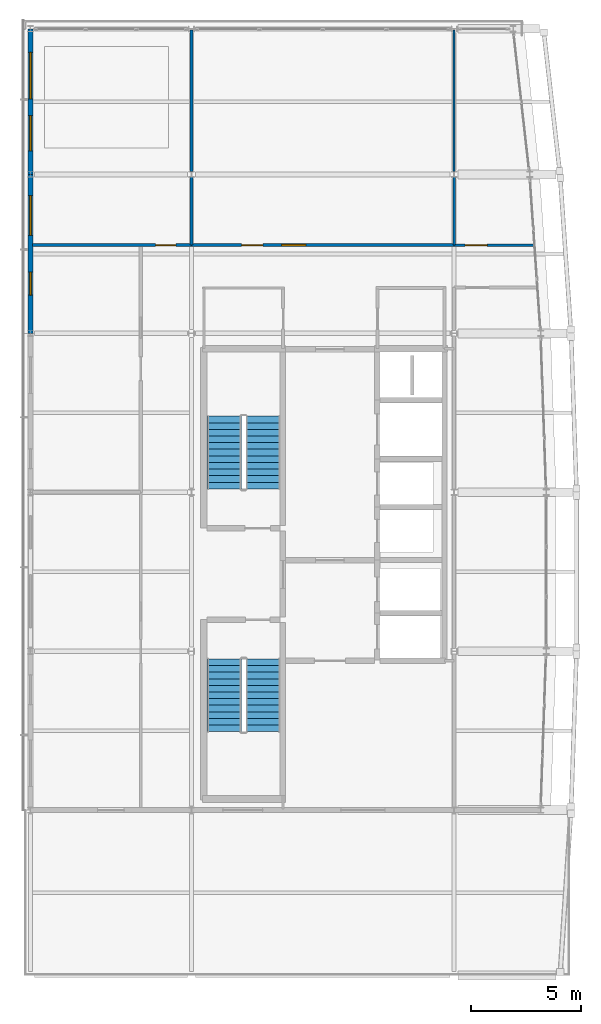
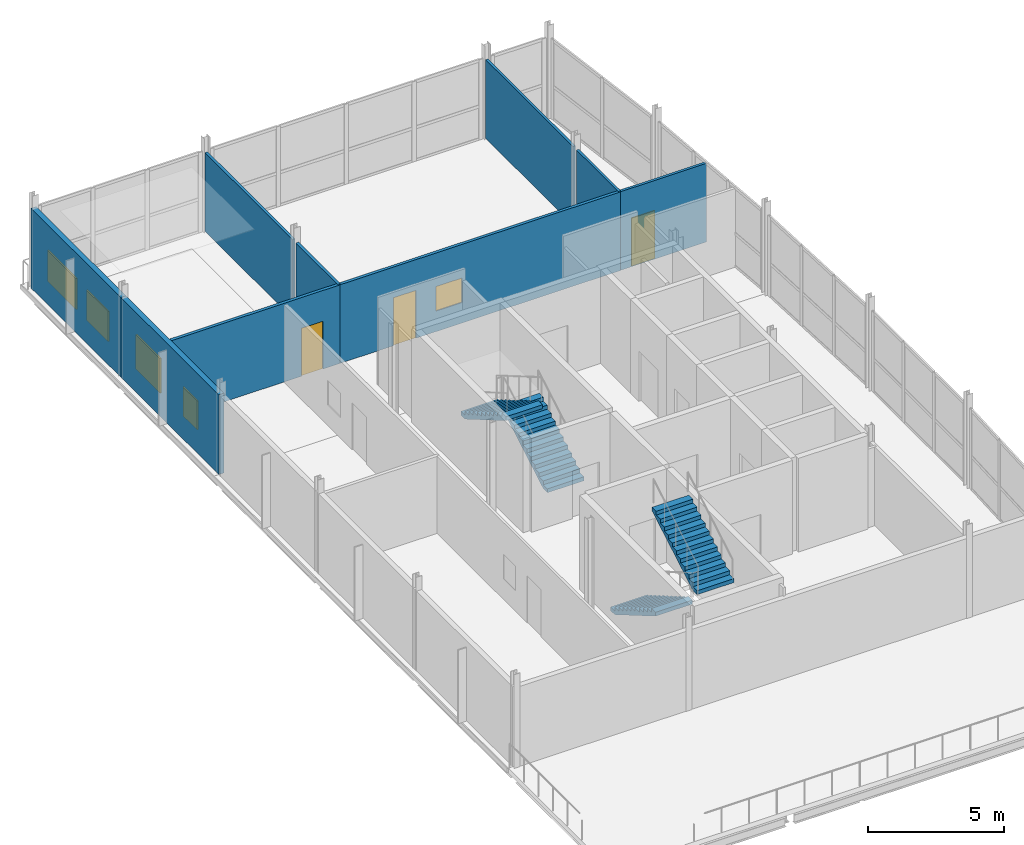
# One storey, part 15 of 17: 9 walls, 5 windows, 4 stair flights, 3 doors, 8 openings, 2 elements without a shape of their own.
"""IFC4 building model written with IfcOpenShell, lengths in metres."""

from ifc_helpers import new_model, si_unit, direction, frame, frame_2d, origin, place, context, subcontext, project, spatial, polyline, rectangle, outline, extrude, material, layer, layer_set, type_object, element, fill, aggregate, save


model = new_model("IFC4")

# Units and contexts
model_context = context("Model", 3, precision=1e-05, world=origin(), true_north=direction((0.0, 1.0)))
body_context = subcontext(model_context, "Body", "Model", "MODEL_VIEW")
ifc_project = project(units=[si_unit("LENGTHUNIT", "METRE"), si_unit("AREAUNIT", "SQUARE_METRE"), si_unit("VOLUMEUNIT", "CUBIC_METRE"), si_unit("PLANEANGLEUNIT", "RADIAN"), si_unit("MASSUNIT", "GRAM", prefix="KILO")], contexts=[model_context])

# Site, building, storey
site_placement = place(None, origin())
site = spatial("IfcSite", under=ifc_project, at=site_placement, CompositionType="ELEMENT")
building_placement = place(site_placement, origin())
building = spatial("IfcBuilding", under=site, at=building_placement, Name="Quillay Park Conservatory", CompositionType="ELEMENT")
storey_placement = place(building_placement, frame((0.0, 0.0, 60.300048828125)))
storey = spatial("IfcBuildingStorey", under=building, at=storey_placement, Name="L14", CompositionType="ELEMENT", Elevation=60.300048828125)

# Walls
ifc_material_1 = material(Name="Steel-Stud Acoustic Gypsum Board Partition", Category="steel")
ifc_layer_1 = layer(ifc_material_1, 0.10009765625)
ifc_layer_set_1 = layer_set([ifc_layer_1], Name="ACOUSTIC GYPSUM PARTITION 100 (Steel-Stud Acoustic Gypsum Board Partition)")
wall_type_1 = type_object("IfcWallType", Name="ACOUSTIC GYPSUM PARTITION 100", PredefinedType="PARTITIONING", material=ifc_layer_set_1)
wall_1_placement = place(storey_placement, frame((19.75, 113.35009765625, 0.0), z_axis=(0.0, 0.0, 1.0), x_axis=(0.0, -1.0, 0.0)))
element("IfcWall", 1, at=wall_1_placement, inside=storey, type_object=wall_type_1, Name="L14 North Divider 19 N", PredefinedType="PARTITIONING", context=body_context, shape_type="SweptSolid", body=[
    extrude(rectangle(XDim=6.425048828125, YDim=0.10009765625, at=frame_2d((3.21240234375, 0.0))), origin(), (0.0, 0.0, 1.0), 3.52685546875),
])
ifc_material_2 = material(Name="Steel-Stud Acoustic Gypsum Board Partition", Category="steel")
ifc_layer_2 = layer(ifc_material_2, 0.10498046875)
ifc_layer_set_2 = layer_set([ifc_layer_2], Name="ACOUSTIC GYPSUM PARTITION 105 (Steel-Stud Acoustic Gypsum Board Partition)")
wall_type_2 = type_object("IfcWallType", Name="ACOUSTIC GYPSUM PARTITION 105", PredefinedType="PARTITIONING", material=ifc_layer_set_2)
wall_2_placement = place(storey_placement, frame((19.75, 106.675048828125, 0.0), z_axis=(0.0, 0.0, 1.0), x_axis=(0.0, -1.0, 0.0)))
element("IfcWall", 2, at=wall_2_placement, inside=storey, type_object=wall_type_2, Name="L14 North Divider 19 S", PredefinedType="PARTITIONING", context=body_context, shape_type="SweptSolid", body=[
    extrude(rectangle(XDim=3.074951171875, YDim=0.10498046875, at=frame_2d((1.53759765625, 0.0))), origin(), (0.0, 0.0, 1.0), 3.52685546875),
])

# Wall, opening, door
ifc_material_3 = material(Name="Steel-Stud Acoustic Gypsum Board Partition", Category="steel")
ifc_layer_3 = layer(ifc_material_3, 0.110107421875)
ifc_layer_set_3 = layer_set([ifc_layer_3], Name="ACOUSTIC GYPSUM PARTITION 110 (Steel-Stud Acoustic Gypsum Board Partition)")
wall_type_3 = type_object("IfcWallType", Name="ACOUSTIC GYPSUM PARTITION 110", PredefinedType="PARTITIONING", material=ifc_layer_set_3)
wall_3_placement = place(storey_placement, frame((19.75, 103.60009765625, 0.0), z_axis=(0.0, 0.0, 1.0), x_axis=(1.0, 0.0, 0.0)))
wall_3 = element("IfcWall", 3, at=wall_3_placement, inside=storey, type_object=wall_type_3, Name="L14 Scientific Advisory Board Seminar Room South Wall", PredefinedType="PARTITIONING", context=body_context, shape_type="SweptSolid", body=[
    extrude(rectangle(XDim=3.6650390625, YDim=0.110107421875, at=frame_2d((1.83251953125, 0.0))), origin(), (0.0, 0.0, 1.0), 3.52685546875),
])
opening_1_placement = place(wall_3_placement, frame((0.5, 0.0, 0.0)))
opening_1 = element("IfcOpeningElement", 4, at=opening_1_placement, cuts=wall_3, Name="Opening D-RM09", PredefinedType="OPENING", context=body_context, shape_type="SweptSolid", body=[
    extrude(rectangle(XDim=1.0, YDim=2.14990234375, at=frame_2d((0.5, 1.074951171875))), frame((0.0, 0.05517578125, 0.0), z_axis=(0.0, -1.0, 0.0), x_axis=(1.0, 0.0, 0.0)), (0.0, 0.0, 1.0), 0.110107421875),
])
ifc_material_4 = material(Name="Thermally Broken Anodised Aluminium 6063-T6", Category="aluminium")
door_type_1 = type_object("IfcDoorType", Name="SINGLE SWING DOOR 1000 X2150", OperationType="NOTDEFINED", PredefinedType="DOOR", material=ifc_material_4)
door_1_placement = place(opening_1_placement, origin())
door_1 = element("IfcDoor", 5, at=door_1_placement, inside=storey, type_object=door_type_1, Name="L14 Door to Scientific Advisory Board Seminar Room", OperationType="SINGLE_SWING_LEFT", OverallHeight=2.14990234375, OverallWidth=1.0, PredefinedType="DOOR", context=body_context, shape_type="SweptSolid", body=[
    extrude(rectangle(XDim=1.0, YDim=2.14990234375, at=frame_2d((0.5, 1.074951171875))), frame((0.0, 0.02490234375, 0.0), z_axis=(0.0, -1.0, 0.0), x_axis=(1.0, 0.0, 0.0)), (0.0, 0.0, 1.0), 0.050048828125),
])
fill(opening_1, door_1)

# Walls
ifc_material_5 = material(Name="Steel-Stud Acoustic Gypsum Board Partition", Category="steel")
ifc_layer_4 = layer(ifc_material_5, 0.114990234375)
ifc_layer_set_4 = layer_set([ifc_layer_4], Name="ACOUSTIC GYPSUM PARTITION 115 (Steel-Stud Acoustic Gypsum Board Partition)")
wall_type_4 = type_object("IfcWallType", Name="ACOUSTIC GYPSUM PARTITION 115", PredefinedType="PARTITIONING", material=ifc_layer_set_4)
wall_4_placement = place(storey_placement, frame((7.85009765625, 113.35009765625, 0.0), z_axis=(0.0, 0.0, 1.0), x_axis=(0.0, -1.0, 0.0)))
element("IfcWall", 6, at=wall_4_placement, inside=storey, type_object=wall_type_4, Name="L14 North Divider 7 N", PredefinedType="PARTITIONING", context=body_context, shape_type="SweptSolid", body=[
    extrude(rectangle(XDim=6.425048828125, YDim=0.114990234375, at=frame_2d((3.21240234375, 0.0))), origin(), (0.0, 0.0, 1.0), 3.52685546875),
])
ifc_material_6 = material(Name="Steel-Stud Acoustic Gypsum Board Partition", Category="steel")
ifc_layer_5 = layer(ifc_material_6, 0.1201171875)
ifc_layer_set_5 = layer_set([ifc_layer_5], Name="ACOUSTIC GYPSUM PARTITION 120 (Steel-Stud Acoustic Gypsum Board Partition)")
wall_type_5 = type_object("IfcWallType", Name="ACOUSTIC GYPSUM PARTITION 120", PredefinedType="PARTITIONING", material=ifc_layer_set_5)
wall_5_placement = place(storey_placement, frame((7.85009765625, 106.675048828125, 0.0), z_axis=(0.0, 0.0, 1.0), x_axis=(0.0, -1.0, 0.0)))
element("IfcWall", 7, at=wall_5_placement, inside=storey, type_object=wall_type_5, Name="L14 North Divider 7 S", PredefinedType="PARTITIONING", context=body_context, shape_type="SweptSolid", body=[
    extrude(rectangle(XDim=3.074951171875, YDim=0.1201171875, at=frame_2d((1.53759765625, 0.0))), origin(), (0.0, 0.0, 1.0), 3.52685546875),
])

# Wall, openings, window, door
ifc_material_7 = material(Name="Steel-Stud Acoustic Gypsum Board Partition", Category="steel")
ifc_layer_6 = layer(ifc_material_7, 0.125)
ifc_layer_set_6 = layer_set([ifc_layer_6], Name="ACOUSTIC GYPSUM PARTITION 125 (Steel-Stud Acoustic Gypsum Board Partition)")
wall_type_6 = type_object("IfcWallType", Name="ACOUSTIC GYPSUM PARTITION 125", PredefinedType="PARTITIONING", material=ifc_layer_set_6)
wall_6_placement = place(storey_placement, frame((7.85009765625, 103.60009765625, 0.0), z_axis=(0.0, 0.0, 1.0), x_axis=(1.0, 0.0, 0.0)))
wall_6 = element("IfcWall", 8, at=wall_6_placement, inside=storey, type_object=wall_type_6, Name="L14 International Botany Symposium Seminar Room South Wall", PredefinedType="PARTITIONING", context=body_context, shape_type="SweptSolid", body=[
    extrude(rectangle(XDim=11.89990234375, YDim=0.125, at=frame_2d((5.949951171875, 0.0))), origin(), (0.0, 0.0, 1.0), 3.52685546875),
])
opening_2_placement = place(wall_6_placement, frame((2.27001953125, 0.0, 0.0)))
opening_2 = element("IfcOpeningElement", 9, at=opening_2_placement, cuts=wall_6, Name="Opening D-RM08", PredefinedType="OPENING", context=body_context, shape_type="SweptSolid", body=[
    extrude(rectangle(XDim=0.9599609375, YDim=2.14990234375, at=frame_2d((0.47998046875, 1.074951171875))), frame((0.0, 0.0625, 0.0), z_axis=(0.0, -1.0, 0.0), x_axis=(1.0, 0.0, 0.0)), (0.0, 0.0, 1.0), 0.125),
])
opening_3_placement = place(wall_6_placement, frame((4.080078125, 0.0, 0.919921875)))
opening_3 = element("IfcOpeningElement", 10, at=opening_3_placement, cuts=wall_6, Name="Opening W-IN03", PredefinedType="OPENING", context=body_context, shape_type="SweptSolid", body=[
    extrude(rectangle(XDim=1.10009765625, YDim=1.10009765625, at=frame_2d((0.550048828125, 0.550048828125))), frame((0.0, 0.0625, 0.0), z_axis=(0.0, -1.0, 0.0), x_axis=(1.0, 0.0, 0.0)), (0.0, 0.0, 1.0), 0.125),
])
ifc_material_8 = material(Name="Low-E Double Glazing (Laminated Tempered)", Category="glass")
window_type_1 = type_object("IfcWindowType", Name="OPERABLE VENT WINDOW 1100 X1100", PartitioningType="SINGLE_PANEL", PredefinedType="WINDOW", material=ifc_material_8)
window_1_placement = place(opening_3_placement, origin())
window_1 = element("IfcWindow", 11, at=window_1_placement, inside=storey, type_object=window_type_1, Name="L14 Laboratory Vision Panel 051", OverallHeight=1.10009765625, OverallWidth=1.10009765625, PartitioningType="SINGLE_PANEL", PredefinedType="WINDOW", context=body_context, shape_type="SweptSolid", body=[
    extrude(rectangle(XDim=1.10009765625, YDim=1.10009765625, at=frame_2d((0.550048828125, 0.550048828125))), frame((0.0, 0.030029296875, 0.0), z_axis=(0.0, -1.0, 0.0), x_axis=(1.0, 0.0, 0.0)), (0.0, 0.0, 1.0), 0.06005859375),
])
fill(opening_3, window_1)
ifc_material_9 = material(Name="Thermally Broken Anodised Aluminium 6063-T6", Category="aluminium")
door_type_2 = type_object("IfcDoorType", Name="SINGLE SWING DOOR 960 X2150", OperationType="NOTDEFINED", PredefinedType="DOOR", material=ifc_material_9)
door_2_placement = place(opening_2_placement, origin())
door_2 = element("IfcDoor", 12, at=door_2_placement, inside=storey, type_object=door_type_2, Name="L14 Door to International Botany Symposium Seminar Room", OperationType="SINGLE_SWING_RIGHT", OverallHeight=2.14990234375, OverallWidth=0.9599609375, PredefinedType="DOOR", context=body_context, shape_type="SweptSolid", body=[
    extrude(rectangle(XDim=0.9599609375, YDim=2.14990234375, at=frame_2d((0.47998046875, 1.074951171875))), frame((0.0, 0.02490234375, 0.0), z_axis=(0.0, -1.0, 0.0), x_axis=(1.0, 0.0, 0.0)), (0.0, 0.0, 1.0), 0.050048828125),
])
fill(opening_2, door_2)

# Wall, opening, door
ifc_material_10 = material(Name="Steel-Stud Acoustic Gypsum Board Partition", Category="steel")
ifc_layer_7 = layer(ifc_material_10, 0.1298828125)
ifc_layer_set_7 = layer_set([ifc_layer_7], Name="ACOUSTIC GYPSUM PARTITION 130 (Steel-Stud Acoustic Gypsum Board Partition)")
wall_type_7 = type_object("IfcWallType", Name="ACOUSTIC GYPSUM PARTITION 130", PredefinedType="PARTITIONING", material=ifc_layer_set_7)
wall_7_placement = place(storey_placement, frame((0.64990234375, 103.60009765625, 0.0), z_axis=(0.0, 0.0, 1.0), x_axis=(1.0, 0.0, 0.0)))
wall_7 = element("IfcWall", 13, at=wall_7_placement, inside=storey, type_object=wall_type_7, Name="L14 Botanical Foundation Colloquium Room South Wall", PredefinedType="PARTITIONING", context=body_context, shape_type="SweptSolid", body=[
    extrude(rectangle(XDim=7.2001953125, YDim=0.1298828125, at=frame_2d((3.60009765625, 0.0))), origin(), (0.0, 0.0, 1.0), 3.52685546875),
])
opening_4_placement = place(wall_7_placement, frame((5.570068359375, 0.0, 0.0)))
opening_4 = element("IfcOpeningElement", 14, at=opening_4_placement, cuts=wall_7, Name="Opening D-RM07", PredefinedType="OPENING", context=body_context, shape_type="SweptSolid", body=[
    extrude(rectangle(XDim=0.919921875, YDim=2.14990234375, at=frame_2d((0.4599609375, 1.074951171875))), frame((0.0, 0.06494140625, 0.0), z_axis=(0.0, -1.0, 0.0), x_axis=(1.0, 0.0, 0.0)), (0.0, 0.0, 1.0), 0.1298828125),
])
ifc_material_11 = material(Name="Thermally Broken Anodised Aluminium 6063-T6", Category="aluminium")
door_type_3 = type_object("IfcDoorType", Name="SINGLE SWING DOOR 920 X2150", OperationType="NOTDEFINED", PredefinedType="DOOR", material=ifc_material_11)
door_3_placement = place(opening_4_placement, origin())
door_3 = element("IfcDoor", 15, at=door_3_placement, inside=storey, type_object=door_type_3, Name="L14 Door to Botanical Foundation Colloquium Room", OperationType="SINGLE_SWING_LEFT", OverallHeight=2.14990234375, OverallWidth=0.919921875, PredefinedType="DOOR", context=body_context, shape_type="SweptSolid", body=[
    extrude(rectangle(XDim=0.919921875, YDim=2.14990234375, at=frame_2d((0.4599609375, 1.074951171875))), frame((0.0, 0.02490234375, 0.0), z_axis=(0.0, -1.0, 0.0), x_axis=(1.0, 0.0, 0.0)), (0.0, 0.0, 1.0), 0.050048828125),
])
fill(opening_4, door_3)

# Wall, openings, windows
ifc_material_12 = material(Name="Glass-Fibre Reinforced Concrete (GRC) Cladding", Category="concrete")
ifc_layer_8 = layer(ifc_material_12, 0.219970703125)
ifc_layer_set_8 = layer_set([ifc_layer_8], Name="EXTERIOR SOLID WALL 220 (Glass-Fibre Reinforced Concrete (GRC) Cladding)")
wall_type_8 = type_object("IfcWallType", Name="EXTERIOR SOLID WALL 220", PredefinedType="SOLIDWALL", material=ifc_layer_set_8)
wall_8_placement = place(storey_placement, frame((0.550048828125, 99.60009765625, 0.0), z_axis=(0.0, 0.0, 1.0), x_axis=(0.0, 1.0, 0.0)))
wall_8 = element("IfcWall", 16, at=wall_8_placement, inside=storey, type_object=wall_type_8, Name="L14 External Wall WL-EXT-V4W-L14-3", PredefinedType="SOLIDWALL", context=body_context, shape_type="SweptSolid", body=[
    extrude(rectangle(XDim=7.199951171875, YDim=0.219970703125, at=frame_2d((3.60009765625, 0.0))), origin(), (0.0, 0.0, 1.0), 3.576904296875),
])
opening_5_placement = place(wall_8_placement, frame((1.72998046875, 0.0, 0.919921875)))
opening_5 = element("IfcOpeningElement", 17, at=opening_5_placement, cuts=wall_8, Name="Opening W-18", PredefinedType="OPENING", context=body_context, shape_type="SweptSolid", body=[
    extrude(rectangle(XDim=1.050048828125, YDim=1.300048828125, at=frame_2d((0.52490234375, 0.64990234375))), frame((0.0, 0.10986328125, 0.0), z_axis=(0.0, -1.0, 0.0), x_axis=(1.0, 0.0, 0.0)), (0.0, 0.0, 1.0), 0.219970703125),
])
opening_6_placement = place(wall_8_placement, frame((4.445068359375, 0.0, 0.919921875)))
opening_6 = element("IfcOpeningElement", 18, at=opening_6_placement, cuts=wall_8, Name="Opening W-09", PredefinedType="OPENING", context=body_context, shape_type="SweptSolid", body=[
    extrude(rectangle(XDim=1.800048828125, YDim=1.550048828125, at=frame_2d((0.89990234375, 0.77490234375))), frame((0.0, 0.10986328125, 0.0), z_axis=(0.0, -1.0, 0.0), x_axis=(1.0, 0.0, 0.0)), (0.0, 0.0, 1.0), 0.219970703125),
])
ifc_material_13 = material(Name="Low-E Double Glazing (Laminated Tempered)", Category="glass")
window_type_2 = type_object("IfcWindowType", Name="FIXED CASEMENT WINDOW 1050 X1300", PartitioningType="SINGLE_PANEL", PredefinedType="WINDOW", material=ifc_material_13)
window_2_placement = place(opening_5_placement, origin())
window_2 = element("IfcWindow", 19, at=window_2_placement, inside=storey, type_object=window_type_2, Name="L14 Exterior Window 0310", OverallHeight=1.300048828125, OverallWidth=1.050048828125, PartitioningType="SINGLE_PANEL", PredefinedType="WINDOW", context=body_context, shape_type="SweptSolid", body=[
    extrude(rectangle(XDim=1.050048828125, YDim=1.300048828125, at=frame_2d((0.52490234375, 0.64990234375))), frame((0.0, 0.030029296875, 0.0), z_axis=(0.0, -1.0, 0.0), x_axis=(1.0, 0.0, 0.0)), (0.0, 0.0, 1.0), 0.06005859375),
])
fill(opening_5, window_2)
ifc_material_14 = material(Name="Low-E Double Glazing (Laminated Tempered)", Category="glass")
window_type_3 = type_object("IfcWindowType", Name="FIXED CASEMENT WINDOW 1800 X1550", PartitioningType="DOUBLE_PANEL_VERTICAL", PredefinedType="WINDOW", material=ifc_material_14)
window_3_placement = place(opening_6_placement, origin())
window_3 = element("IfcWindow", 20, at=window_3_placement, inside=storey, type_object=window_type_3, Name="L14 Exterior Window 0311", OverallHeight=1.550048828125, OverallWidth=1.800048828125, PartitioningType="DOUBLE_PANEL_VERTICAL", PredefinedType="WINDOW", context=body_context, shape_type="SweptSolid", body=[
    extrude(rectangle(XDim=1.800048828125, YDim=1.550048828125, at=frame_2d((0.89990234375, 0.77490234375))), frame((0.0, 0.030029296875, 0.0), z_axis=(0.0, -1.0, 0.0), x_axis=(1.0, 0.0, 0.0)), (0.0, 0.0, 1.0), 0.06005859375),
])
fill(opening_6, window_3)

wall_9_placement = place(storey_placement, frame((0.550048828125, 106.800048828125, 0.0), z_axis=(0.0, 0.0, 1.0), x_axis=(0.0, 1.0, 0.0)))
wall_9 = element("IfcWall", 21, at=wall_9_placement, inside=storey, type_object=wall_type_8, Name="L14 External Wall WL-EXT-V4W-L14-4", PredefinedType="SOLIDWALL", context=body_context, shape_type="SweptSolid", body=[
    extrude(rectangle(XDim=6.599853515625, YDim=0.219970703125, at=frame_2d((3.2998046875, 0.0))), origin(), (0.0, 0.0, 1.0), 3.576904296875),
])
opening_7_placement = place(wall_9_placement, frame((1.070068359375, 0.0, 0.919921875)))
opening_7 = element("IfcOpeningElement", 22, at=opening_7_placement, cuts=wall_9, Name="Opening W-19", PredefinedType="OPENING", context=body_context, shape_type="SweptSolid", body=[
    extrude(rectangle(XDim=1.60009765625, YDim=1.35009765625, at=frame_2d((0.800048828125, 0.675048828125))), frame((0.0, 0.10986328125, 0.0), z_axis=(0.0, -1.0, 0.0), x_axis=(1.0, 0.0, 0.0)), (0.0, 0.0, 1.0), 0.219970703125),
])
opening_8_placement = place(wall_9_placement, frame((3.429931640625, 0.0, 0.919921875)))
opening_8 = element("IfcOpeningElement", 23, at=opening_8_placement, cuts=wall_9, Name="Opening W-06", PredefinedType="OPENING", context=body_context, shape_type="SweptSolid", body=[
    extrude(rectangle(XDim=2.10009765625, YDim=1.39990234375, at=frame_2d((1.050048828125, 0.699951171875))), frame((0.0, 0.10986328125, 0.0), z_axis=(0.0, -1.0, 0.0), x_axis=(1.0, 0.0, 0.0)), (0.0, 0.0, 1.0), 0.219970703125),
])
ifc_material_15 = material(Name="Low-E Double Glazing (Laminated Tempered)", Category="glass")
window_type_4 = type_object("IfcWindowType", Name="FIXED CASEMENT WINDOW 1600 X1350", PartitioningType="DOUBLE_PANEL_VERTICAL", PredefinedType="WINDOW", material=ifc_material_15)
window_4_placement = place(opening_7_placement, origin())
window_4 = element("IfcWindow", 24, at=window_4_placement, inside=storey, type_object=window_type_4, Name="L14 Exterior Window 0312", OverallHeight=1.35009765625, OverallWidth=1.60009765625, PartitioningType="DOUBLE_PANEL_VERTICAL", PredefinedType="WINDOW", context=body_context, shape_type="SweptSolid", body=[
    extrude(rectangle(XDim=1.60009765625, YDim=1.35009765625, at=frame_2d((0.800048828125, 0.675048828125))), frame((0.0, 0.030029296875, 0.0), z_axis=(0.0, -1.0, 0.0), x_axis=(1.0, 0.0, 0.0)), (0.0, 0.0, 1.0), 0.06005859375),
])
fill(opening_7, window_4)
ifc_material_16 = material(Name="Low-E Double Glazing (Laminated Tempered)", Category="glass")
window_type_5 = type_object("IfcWindowType", Name="FIXED CASEMENT WINDOW 2100 X1400", PartitioningType="DOUBLE_PANEL_VERTICAL", PredefinedType="WINDOW", material=ifc_material_16)
window_5_placement = place(opening_8_placement, origin())
window_5 = element("IfcWindow", 25, at=window_5_placement, inside=storey, type_object=window_type_5, Name="L14 Exterior Window 0313", OverallHeight=1.39990234375, OverallWidth=2.10009765625, PartitioningType="DOUBLE_PANEL_VERTICAL", PredefinedType="WINDOW", context=body_context, shape_type="SweptSolid", body=[
    extrude(rectangle(XDim=2.10009765625, YDim=1.39990234375, at=frame_2d((1.050048828125, 0.699951171875))), frame((0.0, 0.030029296875, 0.0), z_axis=(0.0, -1.0, 0.0), x_axis=(1.0, 0.0, 0.0)), (0.0, 0.0, 1.0), 0.06005859375),
])
fill(opening_8, window_5)

# Stair, stair flights
ifc_material_17 = material(Name="Concrete C35/45 (NCh170 Concrete C35/45)", Category="concrete")
stair_type = type_object("IfcStairType", Name="ENCLOSED DOG LEG STAIR 4200", PredefinedType="HALF_TURN_STAIR", material=ifc_material_17)
stair_1_placement = place(storey_placement, origin())
stair_1 = element("IfcStair", 26, at=stair_1_placement, inside=storey, type_object=stair_type, Name="L14 Tower Protected Exit Stair 1", PredefinedType="HALF_TURN_STAIR")
ifc_material_18 = material(Name="Concrete C35/45 (NCh170 Concrete C35/45)", Category="concrete")
stair_flight_type = type_object("IfcStairFlightType", Name="STRAIGHT STAIR FLIGHT 4200", PredefinedType="STRAIGHT", material=ifc_material_18)
stair_flight_1_placement = place(storey_placement, frame((11.090087890625, 92.550048828125, 0.0), z_axis=(0.0, 0.0, 1.0), x_axis=(0.0, 1.0, 0.0)))
stair_flight_1 = element("IfcStairFlight", 27, at=stair_flight_1_placement, type_object=stair_flight_type, Name="ST-T1 flight 1", NumberOfRisers=12, NumberOfTreads=11, PredefinedType="STRAIGHT", RiserHeight=0.175, TreadLength=0.3, context=body_context, shape_type="SweptSolid", body=[
    extrude(outline(polyline([(0.0, 0.0), (0.0, 0.175048828125), (0.300048828125, 0.175048828125), (0.300048828125, 0.35009765625), (0.60009765625, 0.35009765625), (0.60009765625, 0.52490234375), (0.89990234375, 0.52490234375), (0.89990234375, 0.699951171875), (1.199951171875, 0.699951171875), (1.199951171875, 0.875), (1.5, 0.875), (1.5, 1.050048828125), (1.800048828125, 1.050048828125), (1.800048828125, 1.22509765625), (2.10009765625, 1.22509765625), (2.10009765625, 1.39990234375), (2.39990234375, 1.39990234375), (2.39990234375, 1.574951171875), (2.699951171875, 1.574951171875), (2.699951171875, 1.75), (3.0, 1.75), (3.0, 1.925048828125), (3.300048828125, 1.925048828125), (3.300048828125, 2.10009765625), (3.300048828125, 1.75146484375), (0.297607421875, 0.0), (0.0, 0.0)])), frame((0.0, 0.780029296875, 0.0), z_axis=(0.0, -1.0, 0.0), x_axis=(1.0, 0.0, 0.0)), (0.0, 0.0, 1.0), 1.56005859375),
])
stair_flight_2_placement = place(storey_placement, frame((9.330078125, 95.85009765625, 2.099853515625), z_axis=(0.0, 0.0, 1.0), x_axis=(0.0, -1.0, 0.0)))
stair_flight_2 = element("IfcStairFlight", 28, at=stair_flight_2_placement, type_object=stair_flight_type, Name="ST-T1 flight 2", NumberOfRisers=12, NumberOfTreads=11, PredefinedType="STRAIGHT", RiserHeight=0.175, TreadLength=0.3, context=body_context, shape_type="SweptSolid", body=[
    extrude(outline(polyline([(0.0, 0.0), (0.0, 0.175048828125), (0.300048828125, 0.175048828125), (0.300048828125, 0.35009765625), (0.60009765625, 0.35009765625), (0.60009765625, 0.52490234375), (0.89990234375, 0.52490234375), (0.89990234375, 0.699951171875), (1.199951171875, 0.699951171875), (1.199951171875, 0.875), (1.5, 0.875), (1.5, 1.050048828125), (1.800048828125, 1.050048828125), (1.800048828125, 1.22509765625), (2.10009765625, 1.22509765625), (2.10009765625, 1.39990234375), (2.39990234375, 1.39990234375), (2.39990234375, 1.574951171875), (2.699951171875, 1.574951171875), (2.699951171875, 1.75), (3.0, 1.75), (3.0, 1.925048828125), (3.300048828125, 1.925048828125), (3.300048828125, 2.10009765625), (3.300048828125, 1.75146484375), (0.297607421875, 0.0), (0.0, 0.0)])), frame((0.0, 0.780029296875, 0.0), z_axis=(0.0, -1.0, 0.0), x_axis=(1.0, 0.0, 0.0)), (0.0, 0.0, 1.0), 1.56005859375),
])
aggregate(stair_1, [stair_flight_1, stair_flight_2])

stair_2_placement = place(storey_placement, origin())
stair_2 = element("IfcStair", 29, at=stair_2_placement, inside=storey, type_object=stair_type, Name="L14 Tower Protected Exit Stair 2", PredefinedType="HALF_TURN_STAIR")
stair_flight_3_placement = place(storey_placement, frame((9.330078125, 84.85009765625, 0.0), z_axis=(0.0, 0.0, 1.0), x_axis=(0.0, -1.0, 0.0)))
stair_flight_3 = element("IfcStairFlight", 30, at=stair_flight_3_placement, type_object=stair_flight_type, Name="ST-T2 flight 1", NumberOfRisers=12, NumberOfTreads=11, PredefinedType="STRAIGHT", RiserHeight=0.175, TreadLength=0.3, context=body_context, shape_type="SweptSolid", body=[
    extrude(outline(polyline([(0.0, 0.0), (0.0, 0.175048828125), (0.300048828125, 0.175048828125), (0.300048828125, 0.35009765625), (0.60009765625, 0.35009765625), (0.60009765625, 0.52490234375), (0.89990234375, 0.52490234375), (0.89990234375, 0.699951171875), (1.199951171875, 0.699951171875), (1.199951171875, 0.875), (1.5, 0.875), (1.5, 1.050048828125), (1.800048828125, 1.050048828125), (1.800048828125, 1.22509765625), (2.10009765625, 1.22509765625), (2.10009765625, 1.39990234375), (2.39990234375, 1.39990234375), (2.39990234375, 1.574951171875), (2.699951171875, 1.574951171875), (2.699951171875, 1.75), (3.0, 1.75), (3.0, 1.925048828125), (3.300048828125, 1.925048828125), (3.300048828125, 2.10009765625), (3.300048828125, 1.75146484375), (0.297607421875, 0.0), (0.0, 0.0)])), frame((0.0, 0.780029296875, 0.0), z_axis=(0.0, -1.0, 0.0), x_axis=(1.0, 0.0, 0.0)), (0.0, 0.0, 1.0), 1.56005859375),
])
stair_flight_4_placement = place(storey_placement, frame((11.090087890625, 81.550048828125, 2.099853515625), z_axis=(0.0, 0.0, 1.0), x_axis=(0.0, 1.0, 0.0)))
stair_flight_4 = element("IfcStairFlight", 31, at=stair_flight_4_placement, type_object=stair_flight_type, Name="ST-T2 flight 2", NumberOfRisers=12, NumberOfTreads=11, PredefinedType="STRAIGHT", RiserHeight=0.175, TreadLength=0.3, context=body_context, shape_type="SweptSolid", body=[
    extrude(outline(polyline([(0.0, 0.0), (0.0, 0.175048828125), (0.300048828125, 0.175048828125), (0.300048828125, 0.35009765625), (0.60009765625, 0.35009765625), (0.60009765625, 0.52490234375), (0.89990234375, 0.52490234375), (0.89990234375, 0.699951171875), (1.199951171875, 0.699951171875), (1.199951171875, 0.875), (1.5, 0.875), (1.5, 1.050048828125), (1.800048828125, 1.050048828125), (1.800048828125, 1.22509765625), (2.10009765625, 1.22509765625), (2.10009765625, 1.39990234375), (2.39990234375, 1.39990234375), (2.39990234375, 1.574951171875), (2.699951171875, 1.574951171875), (2.699951171875, 1.75), (3.0, 1.75), (3.0, 1.925048828125), (3.300048828125, 1.925048828125), (3.300048828125, 2.10009765625), (3.300048828125, 1.75146484375), (0.297607421875, 0.0), (0.0, 0.0)])), frame((0.0, 0.780029296875, 0.0), z_axis=(0.0, -1.0, 0.0), x_axis=(1.0, 0.0, 0.0)), (0.0, 0.0, 1.0), 1.56005859375),
])
aggregate(stair_2, [stair_flight_3, stair_flight_4])

save(model, "model.ifc")
